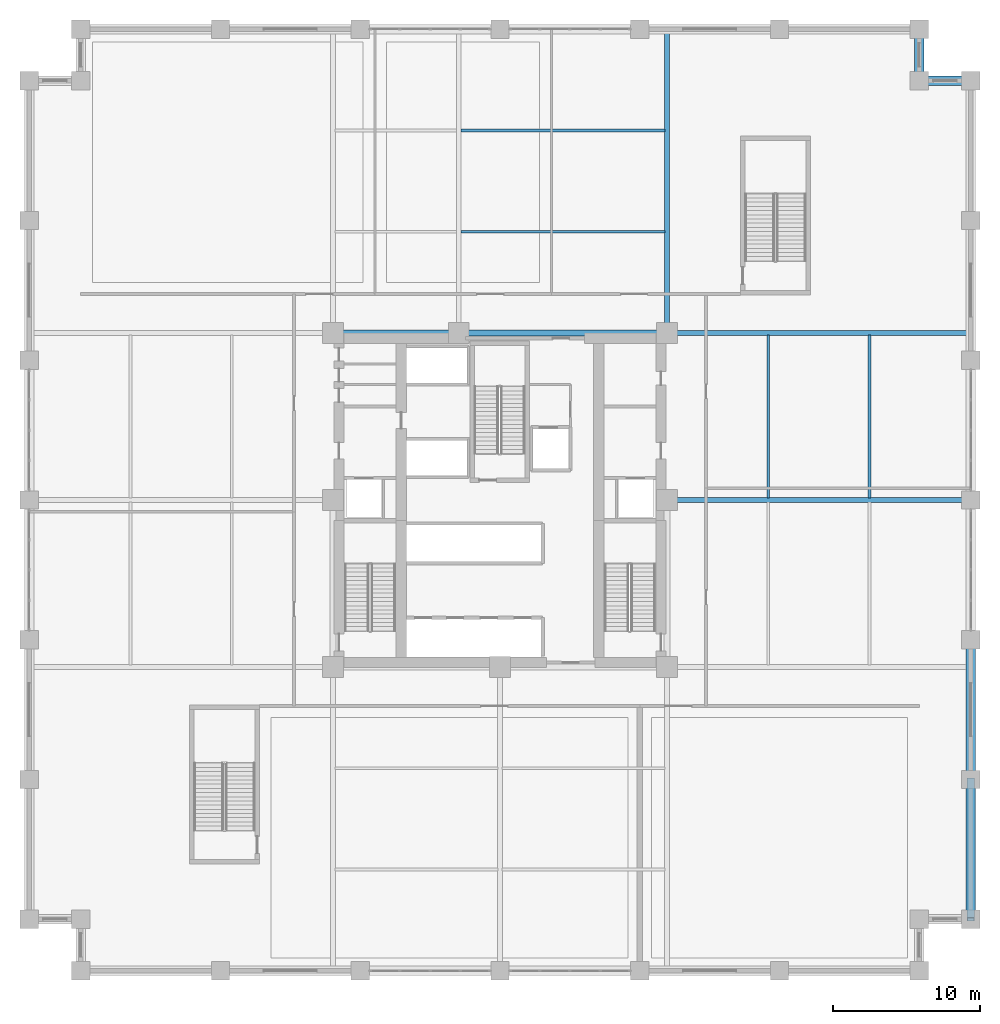
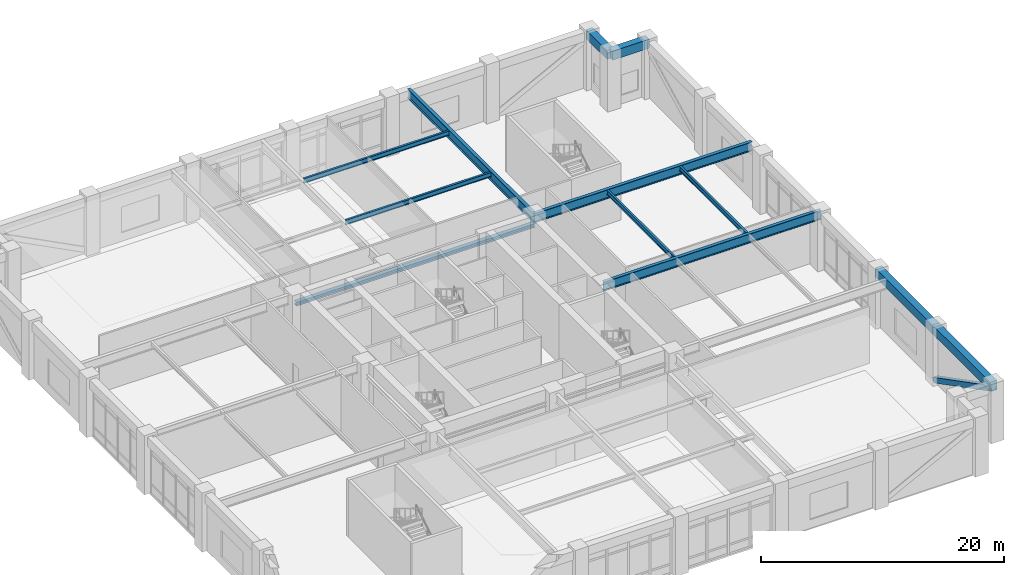
# One storey, part 7 of 21: 11 beams, 2 members.
"""IFC4 building model written with IfcOpenShell, lengths in metres."""

from ifc_helpers import new_model, si_unit, direction, frame, origin, origin_2d, place, context, subcontext, project, spatial, rectangle, hollow_rectangle, i_section, extrude, material, material_profile, profile_set, type_object, element, save


model = new_model("IFC4")

# Units and contexts
model_context = context("Model", 3, precision=1e-05, world=origin(), true_north=direction((0.0, 1.0)))
body_context = subcontext(model_context, "Body", "Model", "MODEL_VIEW")
ifc_project = project(units=[si_unit("LENGTHUNIT", "METRE"), si_unit("AREAUNIT", "SQUARE_METRE"), si_unit("VOLUMEUNIT", "CUBIC_METRE"), si_unit("PLANEANGLEUNIT", "RADIAN"), si_unit("MASSUNIT", "GRAM", prefix="KILO")], contexts=[model_context])

# Site, building, storey
site_placement = place(None, origin())
site = spatial("IfcSite", under=ifc_project, at=site_placement, CompositionType="ELEMENT")
building_placement = place(site_placement, origin())
building = spatial("IfcBuilding", under=site, at=building_placement, Name="Nhamokura Convention Tower", CompositionType="ELEMENT")
storey_placement = place(building_placement, frame((0.0, 0.0, 17.85009765625)))
storey = spatial("IfcBuildingStorey", under=building, at=storey_placement, Name="L03", CompositionType="ELEMENT", Elevation=17.85009765625)

# Beams
ifc_material_1 = material(Name="Steel ASTM A992 Gr 50", Category="steel")
ifc_material_profile_1 = material_profile(ifc_material_1, i_section(OverallWidth=0.19189453125, OverallDepth=0.462890625, WebThickness=0.010498046875, FlangeThickness=0.017578125, at=origin_2d()))
ifc_profile_set_1 = profile_set([ifc_material_profile_1], Name="Steel ASTM A992 Gr 50")
beam_type_1 = type_object("IfcBeamType", Name="FloorJoist_W460X89", PredefinedType="JOIST", material=ifc_profile_set_1)
for number, where, z_axis, x_axis, name in (
    (1, (29.35205078125, 50.2333984375, 5.478515625), (1.0, 0.0, 0.0), (0.0, 1.0, 0.0), "L03 Composite Floor Joist N1B"),
    (2, (29.35205078125, 57.11669921875, 5.478515625), (1.0, 0.0, 0.0), (0.0, 1.0, 0.0), "L03 Composite Floor Joist N2B"),
):
    element("IfcBeam", number, at=place(storey_placement, frame(where, z_axis=z_axis, x_axis=x_axis)), inside=storey, type_object=beam_type_1, Name=name, PredefinedType="JOIST", context=body_context, shape_type="SweptSolid", body=[
        extrude(i_section(OverallWidth=0.19189453125, OverallDepth=0.462890625, WebThickness=0.010498046875, FlangeThickness=0.017578125, at=origin_2d()), origin(), (0.0, 0.0, 1.0), 13.845947265625),
    ])
for number, where, z_axis, x_axis, name in (
    (3, (50.2333984375, 32.152099609375, 5.478515625), (0.0, 1.0, 0.0), (-1.0, 0.0, 0.0), "L03 Composite Floor Joist E1B"),
    (4, (57.11669921875, 32.152099609375, 5.478515625), (0.0, 1.0, 0.0), (-1.0, 0.0, 0.0), "L03 Composite Floor Joist E2B"),
):
    element("IfcBeam", number, at=place(storey_placement, frame(where, z_axis=z_axis, x_axis=x_axis)), inside=storey, type_object=beam_type_1, Name=name, PredefinedType="JOIST", context=body_context, shape_type="SweptSolid", body=[
        extrude(i_section(OverallWidth=0.19189453125, OverallDepth=0.462890625, WebThickness=0.010498046875, FlangeThickness=0.017578125, at=origin_2d()), origin(), (0.0, 0.0, 1.0), 11.0458984375),
    ])
ifc_material_2 = material(Name="Steel ASTM A992 Gr 50", Category="steel")
ifc_material_profile_2 = material_profile(ifc_material_2, i_section(OverallWidth=0.30810546875, OverallDepth=0.927001953125, WebThickness=0.019287109375, FlangeThickness=0.031982421875, at=origin_2d()))
ifc_profile_set_2 = profile_set([ifc_material_profile_2], Name="Steel ASTM A992 Gr 50")
beam_type_2 = type_object("IfcBeamType", Name="HallGirder_W920X289", PredefinedType="BEAM", material=ifc_profile_set_2)
for number, where, z_axis, x_axis, name in (
    (5, (43.35009765625, 43.35009765625, 5.246337890625), (0.0, 1.0, 0.0), (-1.0, 0.0, 0.0), "L03 Primary Floor Girder PG-N3"),
    (6, (43.35009765625, 32.0, 5.246337890625), (1.0, 0.0, 0.0), (0.0, 1.0, 0.0), "L03 Primary Floor Girder PG-E2"),
    (7, (43.35009765625, 43.35009765625, 5.246337890625), (1.0, 0.0, 0.0), (0.0, 1.0, 0.0), "L03 Primary Floor Girder PG-E3"),
):
    element("IfcBeam", number, at=place(storey_placement, frame(where, z_axis=z_axis, x_axis=x_axis)), inside=storey, type_object=beam_type_2, Name=name, PredefinedType="BEAM", context=body_context, shape_type="SweptSolid", body=[
        extrude(i_section(OverallWidth=0.30810546875, OverallDepth=0.927001953125, WebThickness=0.019287109375, FlangeThickness=0.031982421875, at=origin_2d()), origin(), (0.0, 0.0, 1.0), 20.64990234375),
    ])

# Members
ifc_material_3 = material(Name="Steel ASTM A572 Gr 50", Category="steel")
ifc_material_profile_3 = material_profile(ifc_material_3, i_section(OverallWidth=0.39794921875, OverallDepth=0.386962890625, WebThickness=0.02099609375, FlangeThickness=0.033203125, at=origin_2d()))
ifc_profile_set_3 = profile_set([ifc_material_profile_3], Name="Steel ASTM A572 Gr 50")
member_type_1 = type_object("IfcMemberType", Name="HallTrussChord_W360X262", PredefinedType="CHORD", material=ifc_profile_set_3)
member_1_placement = place(storey_placement, frame((20.64990234375, 43.35009765625, 4.559814453125), z_axis=(1.0, 0.0, 0.0), x_axis=(0.0, 1.0, 0.0)))
element("IfcMember", 8, at=member_1_placement, inside=storey, type_object=member_type_1, Name="L03 Convention Hall Truss Chord HTC-N", PredefinedType="CHORD", context=body_context, shape_type="SweptSolid", body=[
    extrude(i_section(OverallWidth=0.39794921875, OverallDepth=0.386962890625, WebThickness=0.02099609375, FlangeThickness=0.033203125, at=origin_2d()), origin(), (0.0, 0.0, 1.0), 22.7001953125),
])
ifc_material_4 = material(Name="Steel ASTM A572 Gr 50", Category="steel")
ifc_material_profile_4 = material_profile(ifc_material_4, hollow_rectangle(XDim=0.5, YDim=0.5, WallThickness=0.02490234375, at=origin_2d()))
ifc_profile_set_4 = profile_set([ifc_material_profile_4], Name="Steel ASTM A572 Gr 50")
member_type_2 = type_object("IfcMemberType", Name="TubeBrace_HSS500", PredefinedType="BRACE", material=ifc_profile_set_4)
member_2_placement = place(storey_placement, frame((64.0, 13.0, 0.14990234375), z_axis=(0.0, -0.888365692966, 0.459136576152), x_axis=(1.0, 0.0, 0.0)))
element("IfcMember", 9, at=member_2_placement, inside=storey, type_object=member_type_2, Name="L03 Perimeter Tube Brace EAST Bay 0", PredefinedType="BRACE", context=body_context, shape_type="SweptSolid", body=[
    extrude(hollow_rectangle(XDim=0.5, YDim=0.5, WallThickness=0.02490234375, at=origin_2d()), origin(), (0.0, 0.0, 1.0), 10.69384765625),
])

# Beams
ifc_material_5 = material(Name="Concrete C60/75", Category="concrete")
ifc_material_profile_5 = material_profile(ifc_material_5, rectangle(XDim=0.64990234375, YDim=0.89990234375, at=origin_2d()))
ifc_profile_set_5 = profile_set([ifc_material_profile_5], Name="Concrete C60/75")
beam_type_3 = type_object("IfcBeamType", Name="TubeSpandrel_900", PredefinedType="SPANDREL", material=ifc_profile_set_5)
for number, where, z_axis, x_axis, name in (
    (10, (64.0, 3.5, 5.260009765625), (0.0, 1.0, 0.0), (-1.0, 0.0, 0.0), "L03 Perimeter Spandrel EAST 1"),
    (11, (64.0, 13.0, 5.260009765625), (0.0, 1.0, 0.0), (-1.0, 0.0, 0.0), "L03 Perimeter Spandrel EAST 2"),
):
    element("IfcBeam", number, at=place(storey_placement, frame(where, z_axis=z_axis, x_axis=x_axis)), inside=storey, type_object=beam_type_3, Name=name, PredefinedType="SPANDREL", context=body_context, shape_type="SweptSolid", body=[
        extrude(rectangle(XDim=0.64990234375, YDim=0.89990234375, at=origin_2d()), origin(), (0.0, 0.0, 1.0), 9.5),
    ])
for number, where, z_axis, x_axis, name in (
    (12, (64.0, 60.5, 5.260009765625), (-1.0, 0.0, 0.0), (0.0, -1.0, 0.0), "L03 Notch Spandrel NE1"),
    (13, (60.5, 60.5, 5.260009765625), (0.0, 1.0, 0.0), (-1.0, 0.0, 0.0), "L03 Notch Spandrel NE2"),
):
    element("IfcBeam", number, at=place(storey_placement, frame(where, z_axis=z_axis, x_axis=x_axis)), inside=storey, type_object=beam_type_3, Name=name, PredefinedType="SPANDREL", context=body_context, shape_type="SweptSolid", body=[
        extrude(rectangle(XDim=0.64990234375, YDim=0.89990234375, at=origin_2d()), origin(), (0.0, 0.0, 1.0), 3.5),
    ])

save(model, "model.ifc")
